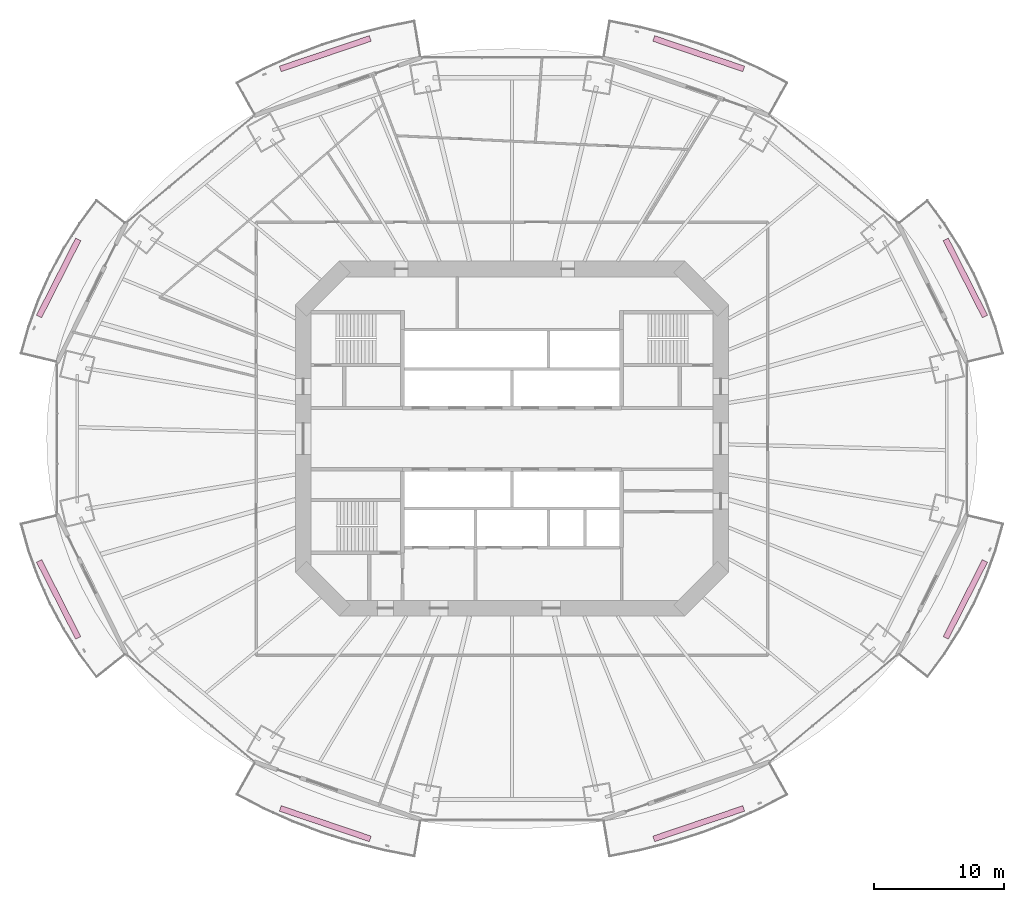
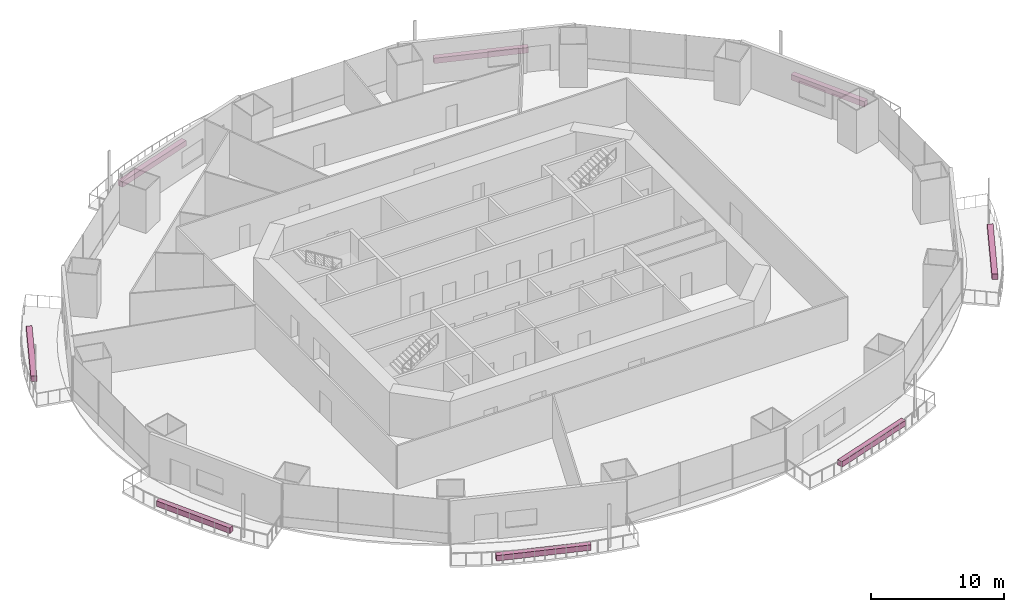
# One storey, part 22 of 22: 8 furnishings.
"""IFC4 building model written with IfcOpenShell, lengths in metres."""

from ifc_helpers import new_model, si_unit, direction, frame, origin, origin_2d, place, context, subcontext, project, spatial, rectangle, extrude, material, type_object, element, save


model = new_model("IFC4")

# Units and contexts
model_context = context("Model", 3, precision=1e-05, world=origin(), true_north=direction((0.0, 1.0)))
body_context = subcontext(model_context, "Body", "Model", "MODEL_VIEW")
ifc_project = project(units=[si_unit("LENGTHUNIT", "METRE"), si_unit("AREAUNIT", "SQUARE_METRE"), si_unit("VOLUMEUNIT", "CUBIC_METRE"), si_unit("PLANEANGLEUNIT", "RADIAN"), si_unit("MASSUNIT", "GRAM", prefix="KILO")], contexts=[model_context])

# Site, building, storey
site_placement = place(None, origin())
site = spatial("IfcSite", under=ifc_project, at=site_placement, CompositionType="ELEMENT")
building_placement = place(site_placement, origin())
building = spatial("IfcBuilding", under=site, at=building_placement, Name="Marenthal Gate Tower", CompositionType="ELEMENT")
storey_placement = place(building_placement, frame((0.0, 0.0, 78.64990234375)))
storey = spatial("IfcBuildingStorey", under=building, at=storey_placement, Name="L15", CompositionType="ELEMENT", Elevation=78.64990234375)

# Furnishings
ifc_material = material(Name="Planting soil and foliage", Category="planting")
furnishing_element_type = type_object("IfcFurnishingElementType", Name="Balcony PLANTER trough", material=ifc_material)
furnishing_1_placement = place(storey_placement, frame((34.75048828125, 12.319091796875, -0.039794921875), z_axis=(0.0, 0.0, 1.0), x_axis=(-0.453560882616, 0.891225294615, 0.0)))
element("IfcFurnishingElement", 1, at=furnishing_1_placement, inside=storey, type_object=furnishing_element_type, Name="Balcony PLANTER L15 bay 1", ObjectType="PLANTER", context=body_context, shape_type="SweptSolid", body=[
    extrude(rectangle(XDim=6.623046875, YDim=0.449951171875, at=origin_2d()), origin(), (0.0, 0.0, 1.0), 0.5),
])
for number, where, z_axis, x_axis, name in (
    (2, (14.31201171875, 29.51025390625, -0.039794921875), (0.0, 0.0, 1.0), (-0.947288641445, 0.320381381778, 0.0), "Balcony PLANTER L15 bay 3"),
    (3, (-14.31201171875, 29.51025390625, -0.039794921875), (0.0, 0.0, 1.0), (-0.947288641445, -0.320381381778, 0.0), "Balcony PLANTER L15 bay 5"),
):
    element("IfcFurnishingElement", number, at=place(storey_placement, frame(where, z_axis=z_axis, x_axis=x_axis)), inside=storey, type_object=furnishing_element_type, Name=name, ObjectType="PLANTER", context=body_context, shape_type="SweptSolid", body=[
        extrude(rectangle(XDim=7.287353515625, YDim=0.449951171875, at=origin_2d()), origin(), (0.0, 0.0, 1.0), 0.5),
    ])
for number, where, z_axis, x_axis, name in (
    (4, (-34.75048828125, 12.319091796875, -0.039794921875), (0.0, 0.0, 1.0), (-0.453560882616, -0.891225294615, 0.0), "Balcony PLANTER L15 bay 7"),
    (5, (-34.75048828125, -12.319091796875, -0.039794921875), (0.0, 0.0, 1.0), (0.453560882616, -0.891225294615, 0.0), "Balcony PLANTER L15 bay 9"),
):
    element("IfcFurnishingElement", number, at=place(storey_placement, frame(where, z_axis=z_axis, x_axis=x_axis)), inside=storey, type_object=furnishing_element_type, Name=name, ObjectType="PLANTER", context=body_context, shape_type="SweptSolid", body=[
        extrude(rectangle(XDim=6.623046875, YDim=0.449951171875, at=origin_2d()), origin(), (0.0, 0.0, 1.0), 0.5),
    ])
for number, where, z_axis, x_axis, name in (
    (6, (-14.31201171875, -29.51025390625, -0.039794921875), (0.0, 0.0, 1.0), (0.947288641445, -0.320381381778, 0.0), "Balcony PLANTER L15 bay 11"),
    (7, (14.31201171875, -29.51025390625, -0.039794921875), (0.0, 0.0, 1.0), (0.947288641445, 0.320381381778, 0.0), "Balcony PLANTER L15 bay 13"),
):
    element("IfcFurnishingElement", number, at=place(storey_placement, frame(where, z_axis=z_axis, x_axis=x_axis)), inside=storey, type_object=furnishing_element_type, Name=name, ObjectType="PLANTER", context=body_context, shape_type="SweptSolid", body=[
        extrude(rectangle(XDim=7.287353515625, YDim=0.449951171875, at=origin_2d()), origin(), (0.0, 0.0, 1.0), 0.5),
    ])
furnishing_2_placement = place(storey_placement, frame((34.75048828125, -12.319091796875, -0.039794921875), z_axis=(0.0, 0.0, 1.0), x_axis=(0.453560882616, 0.891225294615, 0.0)))
element("IfcFurnishingElement", 8, at=furnishing_2_placement, inside=storey, type_object=furnishing_element_type, Name="Balcony PLANTER L15 bay 15", ObjectType="PLANTER", context=body_context, shape_type="SweptSolid", body=[
    extrude(rectangle(XDim=6.623046875, YDim=0.449951171875, at=origin_2d()), origin(), (0.0, 0.0, 1.0), 0.5),
])

save(model, "model.ifc")
